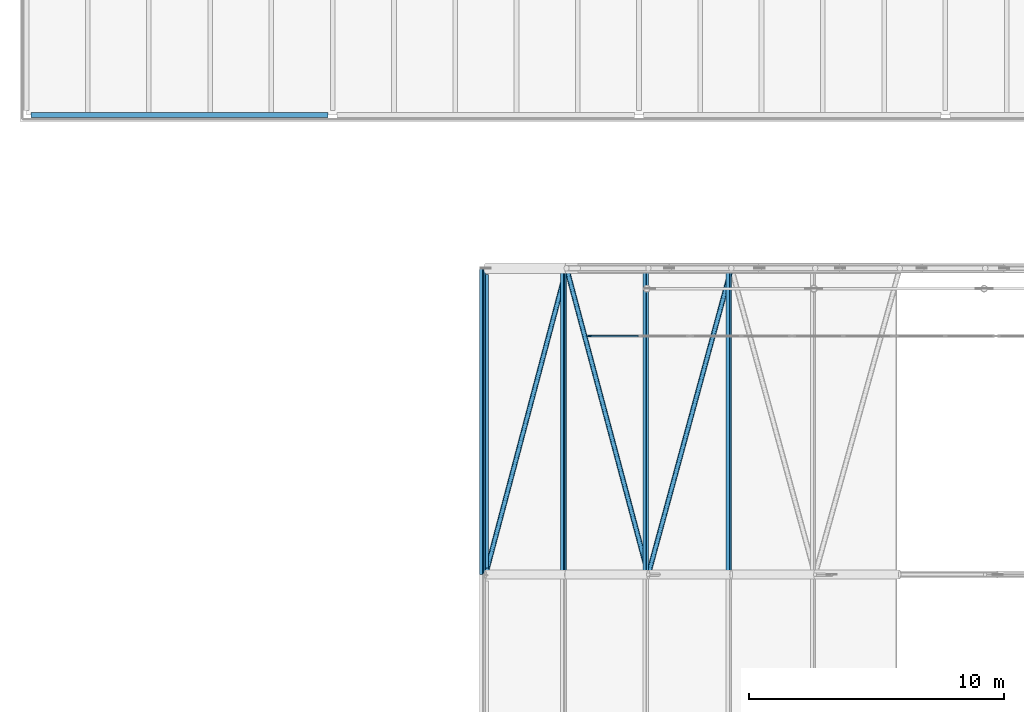
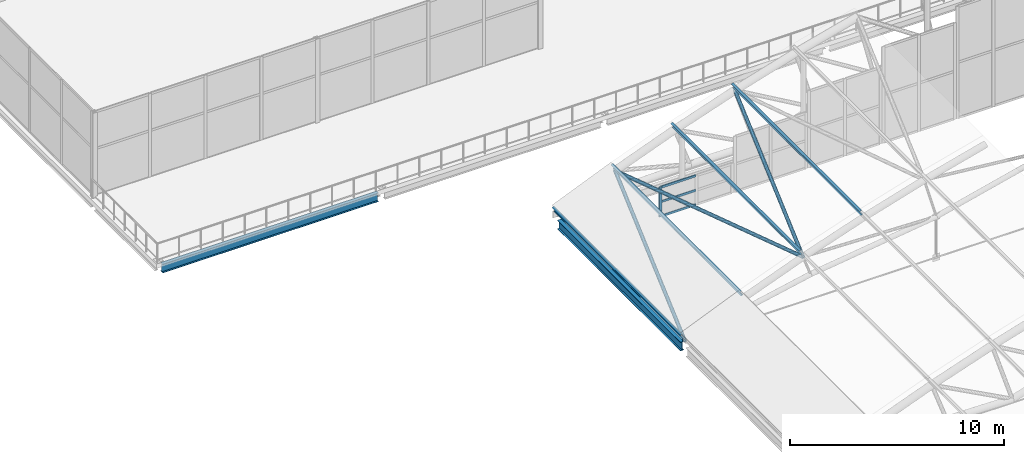
# One storey, part 165 of 321: 11 members, 2 beams, 1 element without a shape of its own.
"""IFC4 building model written with IfcOpenShell, lengths in metres."""

from ifc_helpers import new_model, si_unit, direction, frame, origin, origin_2d, place, context, subcontext, project, spatial, rectangle, hollow_circle, i_section, extrude, material, layer, layer_set, material_profile, profile_set, type_object, element, aggregate, save


model = new_model("IFC4")

# Units and contexts
model_context = context("Model", 3, precision=1e-05, world=origin(), true_north=direction((0.0, 1.0)))
body_context = subcontext(model_context, "Body", "Model", "MODEL_VIEW")
ifc_project = project(units=[si_unit("LENGTHUNIT", "METRE"), si_unit("AREAUNIT", "SQUARE_METRE"), si_unit("VOLUMEUNIT", "CUBIC_METRE"), si_unit("PLANEANGLEUNIT", "RADIAN"), si_unit("MASSUNIT", "GRAM", prefix="KILO")], contexts=[model_context])

# Site, building, storey
site_placement = place(None, origin())
site = spatial("IfcSite", under=ifc_project, at=site_placement, CompositionType="ELEMENT")
building_placement = place(site_placement, origin())
building = spatial("IfcBuilding", under=site, at=building_placement, Name="Ravi Spectrum Wholesale Market", CompositionType="ELEMENT")
storey_placement = place(building_placement, frame((0.0, 0.0, 10.800048828125)))
storey = spatial("IfcBuildingStorey", under=building, at=storey_placement, Name="L02", CompositionType="ELEMENT", Elevation=10.800048828125)

# Members
ifc_material_1 = material(Name="Steel S355", Category="steel")
ifc_material_profile_1 = material_profile(ifc_material_1, hollow_circle(Radius=0.096923828125, WallThickness=0.00634765625, at=origin_2d()))
ifc_profile_set_1 = profile_set([ifc_material_profile_1], Name="Steel S355")
member_type_1 = type_object("IfcMemberType", Name="CHS 193.7x6.3 brace", PredefinedType="BRACE", material=ifc_profile_set_1)
member_1_placement = place(storey_placement, frame((29.98974609375, 186.0, 0.023193359375), z_axis=(0.254316239018, 0.961476177233, 0.104339883003), x_axis=(-0.966753007225, 0.255711992329, 0.0)))
element("IfcMember", 1, at=member_1_placement, inside=storey, type_object=member_type_1, Name="H1-MB-L02-1704", PredefinedType="BRACE", context=body_context, shape_type="SweptSolid", body=[
    extrude(hollow_circle(Radius=0.096923828125, WallThickness=0.00634765625, at=origin_2d()), origin(), (0.0, 0.0, 1.0), 12.480712890625),
])
member_2_placement = place(storey_placement, frame((33.163818359375, 198.0, 1.325439453125), z_axis=(0.256330404397, -0.961473751291, 0.099312382717), x_axis=(0.966250599295, 0.257603919539, 0.0)))
element("IfcMember", 2, at=member_2_placement, inside=storey, type_object=member_type_1, Name="H1-MB-L02-1705", PredefinedType="BRACE", context=body_context, shape_type="SweptSolid", body=[
    extrude(hollow_circle(Radius=0.096923828125, WallThickness=0.00634765625, at=origin_2d()), origin(), (0.0, 0.0, 1.0), 12.48095703125),
])
member_3_placement = place(storey_placement, frame((36.363037109375, 186.0, 2.56494140625), z_axis=(0.260908126195, 0.961475200084, 0.086558588875), x_axis=(-0.965097440522, 0.261891065708, 0.0)))
element("IfcMember", 3, at=member_3_placement, inside=storey, type_object=member_type_1, Name="H1-MB-L02-1706", PredefinedType="BRACE", context=body_context, shape_type="SweptSolid", body=[
    extrude(hollow_circle(Radius=0.096923828125, WallThickness=0.00634765625, at=origin_2d()), origin(), (0.0, 0.0, 1.0), 12.480712890625),
])
ifc_material_2 = material(Name="Steel S355", Category="steel")
ifc_material_profile_2 = material_profile(ifc_material_2, i_section(OverallWidth=0.135009765625, OverallDepth=0.27001953125, WebThickness=0.006591796875, FlangeThickness=0.01025390625, at=origin_2d()))
ifc_profile_set_2 = profile_set([ifc_material_profile_2], Name="Steel S355")
member_type_2 = type_object("IfcMemberType", Name="IPE 270 purlin", PredefinedType="PURLIN", material=ifc_profile_set_2)
for number, where, z_axis, x_axis, name in (
    (4, (29.864013671875, 186.0, 0.3095703125), (0.0, 1.0, 0.0), (-0.915525334521, 0.0, -0.402260316027), "H1-MB-L02-1559"),
    (5, (33.03857421875, 186.0, 1.6396484375), (0.0, 1.0, 0.0), (-0.928855283584, 0.0, -0.370442792017), "H1-MB-L02-1560"),
    (6, (36.25732421875, 186.0, 2.859375), (0.0, 1.0, 0.0), (-0.941079849597, 0.0, -0.338184441811), "H1-MB-L02-1561"),
    (7, (39.515869140625, 186.0, 3.96728515625), (0.0, 1.0, 0.0), (-0.952184497174, 0.0, -0.305523621577), "H1-MB-L02-1562"),
):
    element("IfcMember", number, at=place(storey_placement, frame(where, z_axis=z_axis, x_axis=x_axis)), inside=storey, type_object=member_type_2, Name=name, PredefinedType="PURLIN", context=body_context, shape_type="SweptSolid", body=[
        extrude(i_section(OverallWidth=0.135009765625, OverallDepth=0.27001953125, WebThickness=0.006591796875, FlangeThickness=0.01025390625, at=origin_2d()), origin(), (0.0, 0.0, 1.0), 12.0),
    ])

# Beams
ifc_material_3 = material(Name="Steel S355", Category="steel")
ifc_material_profile_3 = material_profile(ifc_material_3, i_section(OverallWidth=0.199951171875, OverallDepth=0.5, WebThickness=0.01025390625, FlangeThickness=0.01611328125, at=origin_2d()))
ifc_profile_set_3 = profile_set([ifc_material_profile_3], Name="Steel S355")
beam_type_1 = type_object("IfcBeamType", Name="IPE 500 beam", PredefinedType="BEAM", material=ifc_profile_set_3)
beam_1_placement = place(storey_placement, frame((12.177734375, 204.0, -0.5), z_axis=(1.0, 0.0, 0.0), x_axis=(0.0, 1.0, 0.0)))
element("IfcBeam", 8, at=beam_1_placement, inside=storey, type_object=beam_type_1, Name="OF-BM-L02-001", PredefinedType="BEAM", context=body_context, shape_type="SweptSolid", body=[
    extrude(i_section(OverallWidth=0.199951171875, OverallDepth=0.5, WebThickness=0.01025390625, FlangeThickness=0.01611328125, at=origin_2d()), origin(), (0.0, 0.0, 1.0), 11.64453125),
])
ifc_material_4 = material(Name="Steel S355", Category="steel")
ifc_material_profile_4 = material_profile(ifc_material_4, i_section(OverallWidth=0.199951171875, OverallDepth=0.5, WebThickness=0.01025390625, FlangeThickness=0.01611328125, at=origin_2d()))
ifc_profile_set_4 = profile_set([ifc_material_profile_4], Name="Steel S355")
beam_type_2 = type_object("IfcBeamType", Name="IPE 500 girder", PredefinedType="BEAM", material=ifc_profile_set_4)
beam_2_placement = place(storey_placement, frame((30.0, 186.25390625, -0.449951171875), z_axis=(0.0, 1.0, 0.0), x_axis=(-1.0, 0.0, 0.0)))
element("IfcBeam", 9, at=beam_2_placement, inside=storey, type_object=beam_type_2, Name="H1-BM-L02-014", PredefinedType="BEAM", context=body_context, shape_type="SweptSolid", body=[
    extrude(i_section(OverallWidth=0.199951171875, OverallDepth=0.5, WebThickness=0.01025390625, FlangeThickness=0.01611328125, at=origin_2d()), origin(), (0.0, 0.0, 1.0), 11.4921875),
])

# Curtain wall, members
ifc_material_5 = material(Name="Aluminium 6063-T6", Category="aluminium")
ifc_layer = layer(ifc_material_5, 0.14990234375)
ifc_layer_set = layer_set([ifc_layer], Name="Aluminium 6063-T6")
curtain_wall_type = type_object("IfcCurtainWallType", Name="Curtain wall 150", PredefinedType="NOTDEFINED", material=ifc_layer_set)
curtain_wall_placement = place(storey_placement, origin())
curtain_wall = element("IfcCurtainWall", 10, at=curtain_wall_placement, inside=storey, type_object=curtain_wall_type, Name="H1-CW-L02-001", PredefinedType="NOTDEFINED")
ifc_material_6 = material(Name="Aluminium 6063-T6", Category="aluminium")
ifc_material_profile_5 = material_profile(ifc_material_6, rectangle(XDim=0.06005859375, YDim=0.159912109375, at=origin_2d()))
ifc_profile_set_5 = profile_set([ifc_material_profile_5], Name="Aluminium 6063-T6")
member_type_3 = type_object("IfcMemberType", Name="Mullion 60 x 160", PredefinedType="MULLION", material=ifc_profile_set_5)
member_4_placement = place(storey_placement, frame((34.070068359375, 195.340087890625, 0.0), z_axis=(0.0, 0.0, 1.0), x_axis=(0.0, 1.0, 0.0)))
member_4 = element("IfcMember", 11, at=member_4_placement, type_object=member_type_3, Name="H1-CW-L02-001 mullion 1", PredefinedType="MULLION", context=body_context, shape_type="SweptSolid", body=[
    extrude(rectangle(XDim=0.06005859375, YDim=0.159912109375, at=origin_2d()), origin(), (0.0, 0.0, 1.0), 1.699951171875),
])
ifc_material_7 = material(Name="Aluminium 6063-T6", Category="aluminium")
ifc_material_profile_6 = material_profile(ifc_material_7, rectangle(XDim=0.06005859375, YDim=0.1201171875, at=origin_2d()))
ifc_profile_set_6 = profile_set([ifc_material_profile_6], Name="Aluminium 6063-T6")
member_type_4 = type_object("IfcMemberType", Name="Transom 60 x 120", PredefinedType="USERDEFINED", material=ifc_profile_set_6)
member_5_placement = place(storey_placement, frame((34.10009765625, 195.340087890625, 0.030029296875), z_axis=(1.0, 0.0, 0.0), x_axis=(0.0, 1.0, 0.0)))
member_5 = element("IfcMember", 12, at=member_5_placement, type_object=member_type_4, Name="H1-CW-L02-001 transom 1.1", ObjectType="TRANSOM", PredefinedType="USERDEFINED", context=body_context, shape_type="SweptSolid", body=[
    extrude(rectangle(XDim=0.06005859375, YDim=0.1201171875, at=origin_2d()), origin(), (0.0, 0.0, 1.0), 1.869873046875),
])
member_6_placement = place(storey_placement, frame((34.10009765625, 195.340087890625, 0.849853515625), z_axis=(1.0, 0.0, 0.0), x_axis=(0.0, 1.0, 0.0)))
member_6 = element("IfcMember", 13, at=member_6_placement, type_object=member_type_4, Name="H1-CW-L02-001 transom 1.2", ObjectType="TRANSOM", PredefinedType="USERDEFINED", context=body_context, shape_type="SweptSolid", body=[
    extrude(rectangle(XDim=0.06005859375, YDim=0.1201171875, at=origin_2d()), origin(), (0.0, 0.0, 1.0), 1.869873046875),
])
member_7_placement = place(storey_placement, frame((34.10009765625, 195.340087890625, 1.669921875), z_axis=(1.0, 0.0, 0.0), x_axis=(0.0, 1.0, 0.0)))
member_7 = element("IfcMember", 14, at=member_7_placement, type_object=member_type_4, Name="H1-CW-L02-001 transom 1.3", ObjectType="TRANSOM", PredefinedType="USERDEFINED", context=body_context, shape_type="SweptSolid", body=[
    extrude(rectangle(XDim=0.06005859375, YDim=0.1201171875, at=origin_2d()), origin(), (0.0, 0.0, 1.0), 1.869873046875),
])
aggregate(curtain_wall, [member_4, member_5, member_6, member_7])

save(model, "model.ifc")
